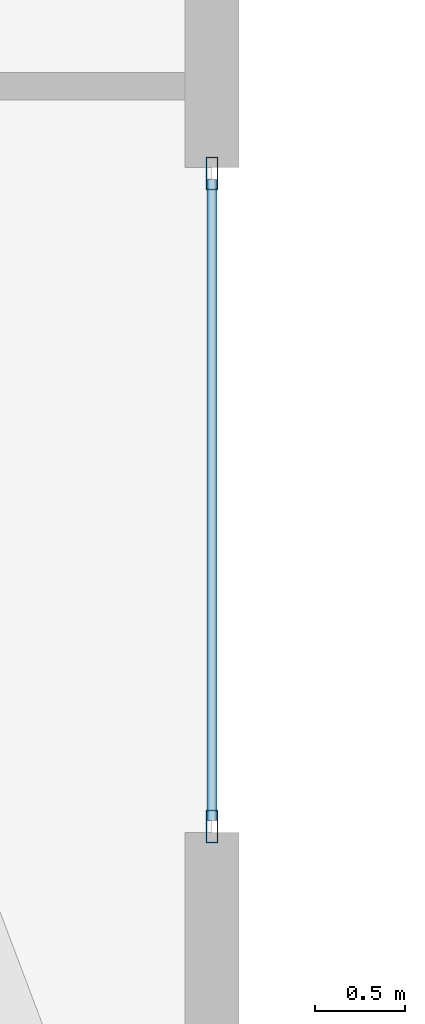
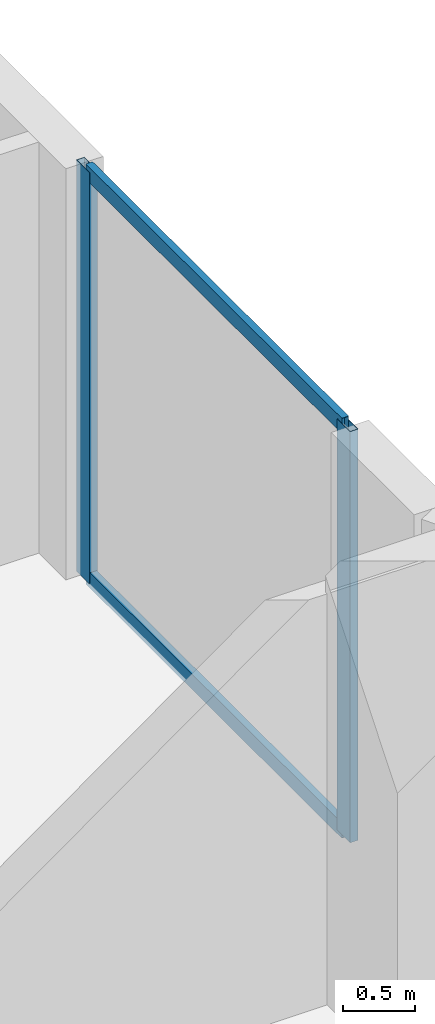
# One storey, part 12 of 24: 4 members, 1 element without a shape of its own.
"""IFC4 building model written with IfcOpenShell, lengths in metres."""

from ifc_helpers import new_model, si_unit, direction, frame, origin, origin_2d, place, context, subcontext, project, spatial, hollow_rectangle, extrude, material, layer, layer_set, material_profile, profile_set, type_object, element, aggregate, save


model = new_model("IFC4")

# Units and contexts
model_context = context("Model", 3, precision=1e-05, world=origin(), true_north=direction((0.0, 1.0)))
body_context = subcontext(model_context, "Body", "Model", "MODEL_VIEW")
ifc_project = project(units=[si_unit("LENGTHUNIT", "METRE"), si_unit("AREAUNIT", "SQUARE_METRE"), si_unit("VOLUMEUNIT", "CUBIC_METRE"), si_unit("PLANEANGLEUNIT", "RADIAN"), si_unit("MASSUNIT", "GRAM", prefix="KILO")], contexts=[model_context])

# Site, building, storey
site_placement = place(None, origin())
site = spatial("IfcSite", under=ifc_project, at=site_placement, CompositionType="ELEMENT")
building_placement = place(site_placement, origin())
building = spatial("IfcBuilding", under=site, at=building_placement, Name="Zuhayl Quay Hotel", CompositionType="ELEMENT")
storey_placement = place(building_placement, frame((0.0, 0.0, 276.64990234375)))
storey = spatial("IfcBuildingStorey", under=building, at=storey_placement, Name="L70", CompositionType="ELEMENT", Elevation=276.64990234375)

# Curtain wall, members
ifc_material_1 = material(Name="Anodised Aluminium 6063-T6", Category="aluminium")
ifc_layer = layer(ifc_material_1, 0.169921875, Name="Anodised Aluminium 6063-T6", Category="aluminium")
ifc_layer_set = layer_set([ifc_layer], Name="Anodised Aluminium 6063-T6")
curtain_wall_type = type_object("IfcCurtainWallType", Name="CW_SYS_Z4", PredefinedType="USERDEFINED", material=ifc_layer_set)
curtain_wall_placement = place(storey_placement, origin())
curtain_wall = element("IfcCurtainWall", 1, at=curtain_wall_placement, inside=storey, type_object=curtain_wall_type, Name="L70 Curtain Wall ENV_L70_E11_CW2", ObjectType="UNITISED CURTAIN WALL", PredefinedType="USERDEFINED")
ifc_material_2 = material(Name="Black-anodised aluminium 6063-T6", Category="aluminium")
ifc_material_profile_1 = material_profile(ifc_material_2, hollow_rectangle(XDim=0.06494140625, YDim=0.179931640625, WallThickness=0.00341796875, at=origin_2d()), Name="ALU180X65")
ifc_profile_set_1 = profile_set([ifc_material_profile_1], Name="Black-anodised aluminium 6063-T6")
member_type_1 = type_object("IfcMemberType", Name="MB_CW_MUL_180", PredefinedType="MULLION", material=ifc_profile_set_1)
member_1_placement = place(storey_placement, frame((20.199951171875, 28.8974609375, 0.0), z_axis=(0.0, 0.0, 1.0), x_axis=(1.0, 0.0, 0.0)))
member_1 = element("IfcMember", 2, at=member_1_placement, type_object=member_type_1, Name="CW-Z4 mullion 1", PredefinedType="MULLION", context=body_context, shape_type="SweptSolid", body=[
    extrude(hollow_rectangle(XDim=0.06494140625, YDim=0.179931640625, WallThickness=0.00341796875, at=origin_2d()), origin(), (0.0, 0.0, 1.0), 3.47998046875),
])
member_2_placement = place(storey_placement, frame((20.199951171875, 25.282470703125, 0.0), z_axis=(0.0, 0.0, 1.0), x_axis=(1.0, 0.0, 0.0)))
member_2 = element("IfcMember", 3, at=member_2_placement, type_object=member_type_1, Name="CW-Z4 mullion 2", PredefinedType="MULLION", context=body_context, shape_type="SweptSolid", body=[
    extrude(hollow_rectangle(XDim=0.06494140625, YDim=0.179931640625, WallThickness=0.00341796875, at=origin_2d()), origin(), (0.0, 0.0, 1.0), 3.47998046875),
])
ifc_material_profile_2 = material_profile(ifc_material_2, hollow_rectangle(XDim=0.054931640625, YDim=0.1298828125, WallThickness=0.0029296875, at=origin_2d()), Name="ALU130X55")
ifc_profile_set_2 = profile_set([ifc_material_profile_2], Name="Black-anodised aluminium 6063-T6")
member_type_2 = type_object("IfcMemberType", Name="MB_CW_TRN_130", PredefinedType="USERDEFINED", material=ifc_profile_set_2)
member_3_placement = place(storey_placement, frame((20.199951171875, 28.864990234375, 0.027587890625), z_axis=(0.0, -1.0, 0.0), x_axis=(1.0, 0.0, 0.0)))
member_3 = element("IfcMember", 4, at=member_3_placement, type_object=member_type_2, Name="CW-Z4 transom 1.1", ObjectType="TRANSOM", PredefinedType="USERDEFINED", context=body_context, shape_type="SweptSolid", body=[
    extrude(hollow_rectangle(XDim=0.054931640625, YDim=0.1298828125, WallThickness=0.0029296875, at=origin_2d()), origin(), (0.0, 0.0, 1.0), 3.550048828125),
])
member_4_placement = place(storey_placement, frame((20.199951171875, 28.864990234375, 3.45263671875), z_axis=(0.0, -1.0, 0.0), x_axis=(1.0, 0.0, 0.0)))
member_4 = element("IfcMember", 5, at=member_4_placement, type_object=member_type_2, Name="CW-Z4 transom 1.2", ObjectType="TRANSOM", PredefinedType="USERDEFINED", context=body_context, shape_type="SweptSolid", body=[
    extrude(hollow_rectangle(XDim=0.054931640625, YDim=0.1298828125, WallThickness=0.0029296875, at=origin_2d()), origin(), (0.0, 0.0, 1.0), 3.550048828125),
])
aggregate(curtain_wall, [member_1, member_2, member_3, member_4])

save(model, "model.ifc")
